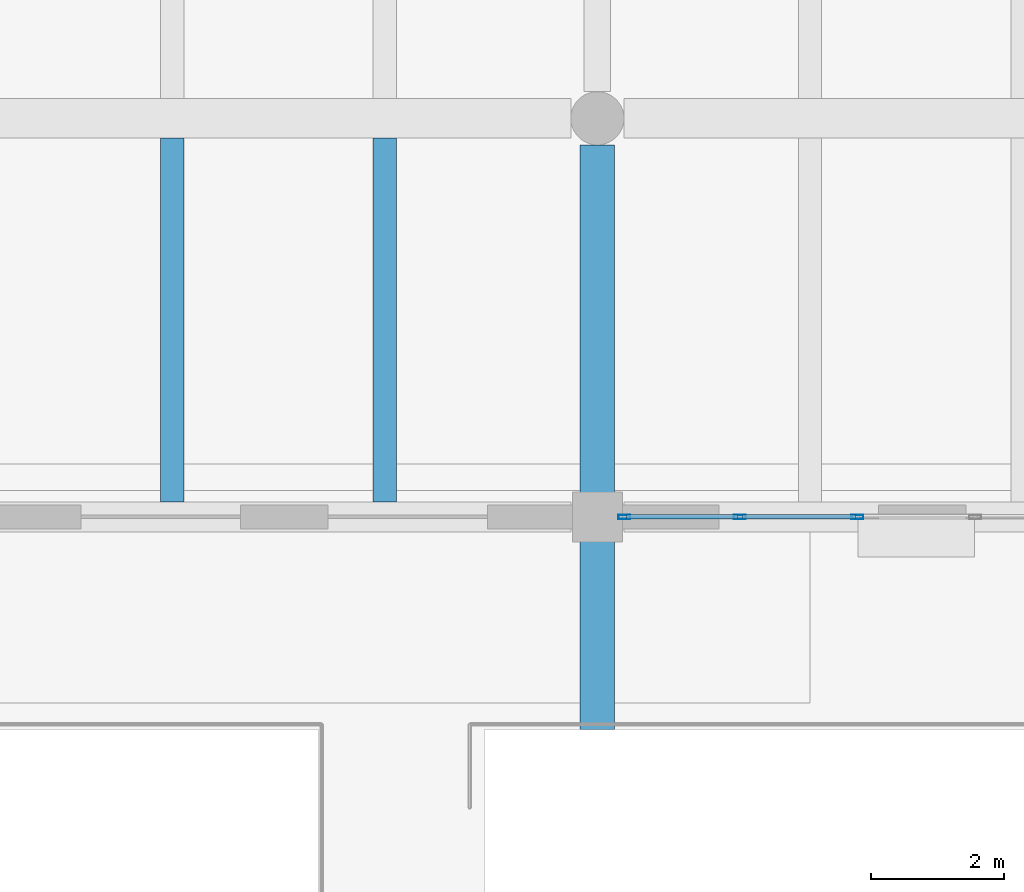
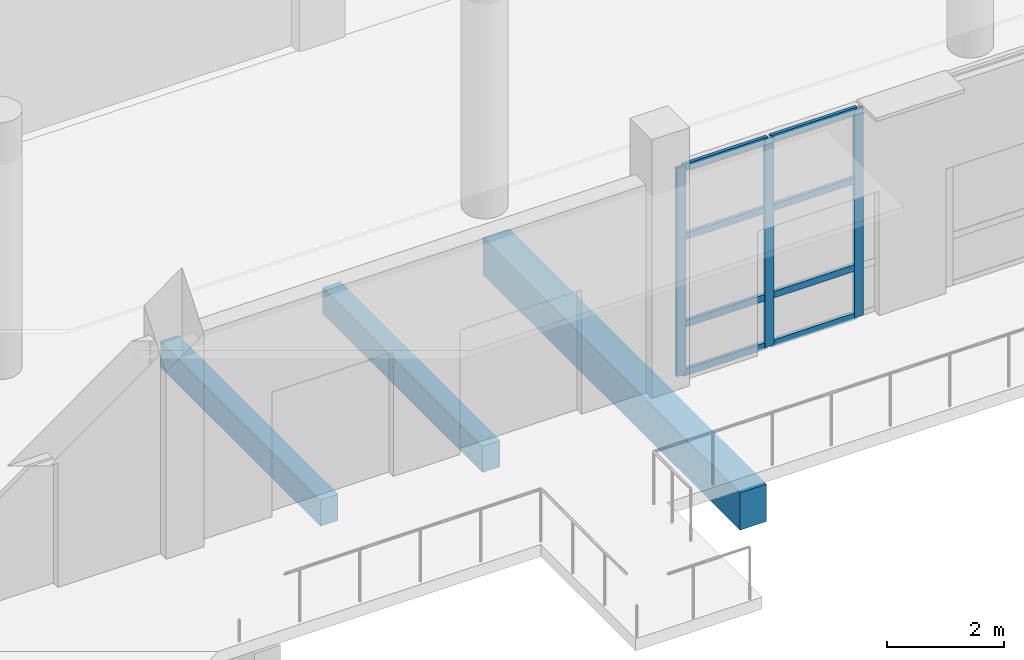
# One storey, part 25 of 78: 11 members, 3 beams, 1 element without a shape of its own.
"""IFC4 building model written with IfcOpenShell, lengths in metres."""

from ifc_helpers import new_model, si_unit, direction, frame, origin, origin_2d, place, context, subcontext, project, spatial, rectangle, hollow_rectangle, extrude, material, material_profile, profile_set, type_object, element, aggregate, save


model = new_model("IFC4")

# Units and contexts
model_context = context("Model", 3, precision=1e-05, world=origin(), true_north=direction((0.0, 1.0)))
body_context = subcontext(model_context, "Body", "Model", "MODEL_VIEW")
ifc_project = project(units=[si_unit("LENGTHUNIT", "METRE"), si_unit("AREAUNIT", "SQUARE_METRE"), si_unit("VOLUMEUNIT", "CUBIC_METRE"), si_unit("PLANEANGLEUNIT", "RADIAN"), si_unit("MASSUNIT", "GRAM", prefix="KILO")], contexts=[model_context])

# Site, building, storey
site_placement = place(None, origin())
site = spatial("IfcSite", under=ifc_project, at=site_placement, CompositionType="ELEMENT")
building_placement = place(site_placement, origin())
building = spatial("IfcBuilding", under=site, at=building_placement, Name="Pellamere Symphony Hall", CompositionType="ELEMENT")
storey_placement = place(building_placement, origin())
storey = spatial("IfcBuildingStorey", under=building, at=storey_placement, Name="L00", CompositionType="ELEMENT", Elevation=0.0)

# Curtain wall, members
ifc_material_1 = material(Name="Thermally Broken Anodised Aluminium 6063-T6 Curtain Wall", Category="aluminium")
curtain_wall_type = type_object("IfcCurtainWallType", Name="Curtain Wall CW-02 (Winter-Garden South Concourse Curtain Wall)", PredefinedType="NOTDEFINED", material=ifc_material_1)
curtain_wall_placement = place(storey_placement, origin())
curtain_wall = element("IfcCurtainWall", 1, at=curtain_wall_placement, inside=storey, type_object=curtain_wall_type, Name="Winter-Garden South Curtain Wall (L00 Bay 11)", PredefinedType="NOTDEFINED")
ifc_material_2 = material(Name="Anodised Architectural Aluminium 6063-T6", Category="aluminium")
ifc_material_profile_1 = material_profile(ifc_material_2, hollow_rectangle(XDim=0.06494140625, YDim=0.179931640625, WallThickness=0.00390625, at=origin_2d()), Name="ALU-M65X180X4")
ifc_profile_set_1 = profile_set([ifc_material_profile_1], Name="Anodised Architectural Aluminium 6063-T6")
member_type_1 = type_object("IfcMemberType", Name="Curtain Wall Mullion ML-02 ALU-M65X180X4", PredefinedType="MULLION", material=ifc_profile_set_1)
member_1_placement = place(storey_placement, frame((119.20751953125, 18.0, 0.0), z_axis=(0.0, 0.0, 1.0), x_axis=(0.0, 1.0, 0.0)))
member_1 = element("IfcMember", 2, at=member_1_placement, type_object=member_type_1, Name="CW2-065 crystal mullion 1", PredefinedType="MULLION", context=body_context, shape_type="SweptSolid", body=[
    extrude(hollow_rectangle(XDim=0.06494140625, YDim=0.179931640625, WallThickness=0.00390625, at=origin_2d()), origin(), (0.0, 0.0, 1.0), 4.35009765625),
])
member_2_placement = place(storey_placement, frame((120.945068359375, 18.0, 0.0), z_axis=(0.0, 0.0, 1.0), x_axis=(0.0, 1.0, 0.0)))
member_2 = element("IfcMember", 3, at=member_2_placement, type_object=member_type_1, Name="CW2-065 crystal mullion 2", PredefinedType="MULLION", context=body_context, shape_type="SweptSolid", body=[
    extrude(hollow_rectangle(XDim=0.06494140625, YDim=0.179931640625, WallThickness=0.00390625, at=origin_2d()), origin(), (0.0, 0.0, 1.0), 4.35009765625),
])
member_3_placement = place(storey_placement, frame((122.715087890625, 18.0, 0.0), z_axis=(0.0, 0.0, 1.0), x_axis=(0.0, 1.0, 0.0)))
member_3 = element("IfcMember", 4, at=member_3_placement, type_object=member_type_1, Name="CW2-065 crystal mullion 3", PredefinedType="MULLION", context=body_context, shape_type="SweptSolid", body=[
    extrude(hollow_rectangle(XDim=0.06494140625, YDim=0.179931640625, WallThickness=0.00390625, at=origin_2d()), origin(), (0.0, 0.0, 1.0), 4.35009765625),
])
ifc_material_profile_2 = material_profile(ifc_material_2, hollow_rectangle(XDim=0.06494140625, YDim=0.139892578125, WallThickness=0.00390625, at=origin_2d()), Name="ALU-T65X140X4")
ifc_profile_set_2 = profile_set([ifc_material_profile_2], Name="Anodised Architectural Aluminium 6063-T6")
member_type_2 = type_object("IfcMemberType", Name="Curtain Wall Transom TR-02 ALU-T65X140X4", PredefinedType="USERDEFINED", material=ifc_profile_set_2)
member_4_placement = place(storey_placement, frame((119.239990234375, 18.0, 0.032470703125), z_axis=(1.0, 0.0, 0.0), x_axis=(0.0, 1.0, 0.0)))
member_4 = element("IfcMember", 5, at=member_4_placement, type_object=member_type_2, Name="CW2-065 crystal transom 1.1", ObjectType="TRANSOM", PredefinedType="USERDEFINED", context=body_context, shape_type="SweptSolid", body=[
    extrude(hollow_rectangle(XDim=0.06494140625, YDim=0.139892578125, WallThickness=0.00390625, at=origin_2d()), origin(), (0.0, 0.0, 1.0), 1.672607421875),
])
member_5_placement = place(storey_placement, frame((119.239990234375, 18.0, 1.0439453125), z_axis=(1.0, 0.0, 0.0), x_axis=(0.0, 1.0, 0.0)))
member_5 = element("IfcMember", 6, at=member_5_placement, type_object=member_type_2, Name="CW2-065 crystal transom 1.2", ObjectType="TRANSOM", PredefinedType="USERDEFINED", context=body_context, shape_type="SweptSolid", body=[
    extrude(hollow_rectangle(XDim=0.06494140625, YDim=0.139892578125, WallThickness=0.00390625, at=origin_2d()), origin(), (0.0, 0.0, 1.0), 1.672607421875),
])
member_6_placement = place(storey_placement, frame((119.239990234375, 18.0, 2.87109375), z_axis=(1.0, 0.0, 0.0), x_axis=(0.0, 1.0, 0.0)))
member_6 = element("IfcMember", 7, at=member_6_placement, type_object=member_type_2, Name="CW2-065 crystal transom 1.3", ObjectType="TRANSOM", PredefinedType="USERDEFINED", context=body_context, shape_type="SweptSolid", body=[
    extrude(hollow_rectangle(XDim=0.06494140625, YDim=0.139892578125, WallThickness=0.00390625, at=origin_2d()), origin(), (0.0, 0.0, 1.0), 1.672607421875),
])
member_7_placement = place(storey_placement, frame((119.239990234375, 18.0, 4.3173828125), z_axis=(1.0, 0.0, 0.0), x_axis=(0.0, 1.0, 0.0)))
member_7 = element("IfcMember", 8, at=member_7_placement, type_object=member_type_2, Name="CW2-065 crystal transom 1.4", ObjectType="TRANSOM", PredefinedType="USERDEFINED", context=body_context, shape_type="SweptSolid", body=[
    extrude(hollow_rectangle(XDim=0.06494140625, YDim=0.139892578125, WallThickness=0.00390625, at=origin_2d()), origin(), (0.0, 0.0, 1.0), 1.672607421875),
])
member_8_placement = place(storey_placement, frame((120.9775390625, 18.0, 0.032470703125), z_axis=(1.0, 0.0, 0.0), x_axis=(0.0, 1.0, 0.0)))
member_8 = element("IfcMember", 9, at=member_8_placement, type_object=member_type_2, Name="CW2-065 crystal transom 2.1", ObjectType="TRANSOM", PredefinedType="USERDEFINED", context=body_context, shape_type="SweptSolid", body=[
    extrude(hollow_rectangle(XDim=0.06494140625, YDim=0.139892578125, WallThickness=0.00390625, at=origin_2d()), origin(), (0.0, 0.0, 1.0), 1.705078125),
])
member_9_placement = place(storey_placement, frame((120.9775390625, 18.0, 1.0439453125), z_axis=(1.0, 0.0, 0.0), x_axis=(0.0, 1.0, 0.0)))
member_9 = element("IfcMember", 10, at=member_9_placement, type_object=member_type_2, Name="CW2-065 crystal transom 2.2", ObjectType="TRANSOM", PredefinedType="USERDEFINED", context=body_context, shape_type="SweptSolid", body=[
    extrude(hollow_rectangle(XDim=0.06494140625, YDim=0.139892578125, WallThickness=0.00390625, at=origin_2d()), origin(), (0.0, 0.0, 1.0), 1.705078125),
])
member_10_placement = place(storey_placement, frame((120.9775390625, 18.0, 2.87109375), z_axis=(1.0, 0.0, 0.0), x_axis=(0.0, 1.0, 0.0)))
member_10 = element("IfcMember", 11, at=member_10_placement, type_object=member_type_2, Name="CW2-065 crystal transom 2.3", ObjectType="TRANSOM", PredefinedType="USERDEFINED", context=body_context, shape_type="SweptSolid", body=[
    extrude(hollow_rectangle(XDim=0.06494140625, YDim=0.139892578125, WallThickness=0.00390625, at=origin_2d()), origin(), (0.0, 0.0, 1.0), 1.705078125),
])
member_11_placement = place(storey_placement, frame((120.9775390625, 18.0, 4.3173828125), z_axis=(1.0, 0.0, 0.0), x_axis=(0.0, 1.0, 0.0)))
member_11 = element("IfcMember", 12, at=member_11_placement, type_object=member_type_2, Name="CW2-065 crystal transom 2.4", ObjectType="TRANSOM", PredefinedType="USERDEFINED", context=body_context, shape_type="SweptSolid", body=[
    extrude(hollow_rectangle(XDim=0.06494140625, YDim=0.139892578125, WallThickness=0.00390625, at=origin_2d()), origin(), (0.0, 0.0, 1.0), 1.705078125),
])
aggregate(curtain_wall, [member_1, member_2, member_3, member_4, member_5, member_6, member_7, member_8, member_9, member_10, member_11])

# Beams
ifc_material_3 = material(Name="Concrete 40 MPa", Category="concrete")
ifc_material_profile_3 = material_profile(ifc_material_3, rectangle(XDim=0.52001953125, YDim=0.780029296875, at=origin_2d()), Name="RC 520x780")
ifc_profile_set_3 = profile_set([ifc_material_profile_3], Name="Concrete 40 MPa")
beam_type_1 = type_object("IfcBeamType", Name="RC CB-06 520x780", PredefinedType="BEAM", material=ifc_profile_set_3)
beam_placement = place(storey_placement, frame((118.800048828125, 14.800048828125, -0.68994140625), z_axis=(0.0, 1.0, 0.0), x_axis=(-1.0, 0.0, 0.0)))
element("IfcBeam", 13, at=beam_placement, inside=storey, type_object=beam_type_1, Name="Continuous Cantilever Terrace Girder CB-06-0317 (L00)", PredefinedType="BEAM", context=body_context, shape_type="SweptSolid", body=[
    extrude(rectangle(XDim=0.52001953125, YDim=0.780029296875, at=origin_2d()), origin(), (0.0, 0.0, 1.0), 8.800048828125),
])
ifc_material_4 = material(Name="Concrete 35 MPa", Category="concrete")
ifc_material_profile_4 = material_profile(ifc_material_4, rectangle(XDim=0.35009765625, YDim=0.550048828125, at=origin_2d()), Name="RC 350x550")
ifc_profile_set_4 = profile_set([ifc_material_profile_4], Name="Concrete 35 MPa")
beam_type_2 = type_object("IfcBeamType", Name="RC CB-10 350x550", PredefinedType="BEAM", material=ifc_profile_set_4)
for number, where, z_axis, x_axis, name in (
    (14, (112.39990234375, 18.22509765625, -0.590087890625), (0.0, 1.0, 0.0), (-1.0, 0.0, 0.0), "Secondary Floor Beam CB-10-A1402 (L00)"),
    (15, (115.60009765625, 18.22509765625, -0.590087890625), (0.0, 1.0, 0.0), (-1.0, 0.0, 0.0), "Secondary Floor Beam CB-10-B1402 (L00)"),
):
    element("IfcBeam", number, at=place(storey_placement, frame(where, z_axis=z_axis, x_axis=x_axis)), inside=storey, type_object=beam_type_2, Name=name, PredefinedType="BEAM", context=body_context, shape_type="SweptSolid", body=[
        extrude(rectangle(XDim=0.35009765625, YDim=0.550048828125, at=origin_2d()), origin(), (0.0, 0.0, 1.0), 5.474853515625),
    ])

save(model, "model.ifc")
